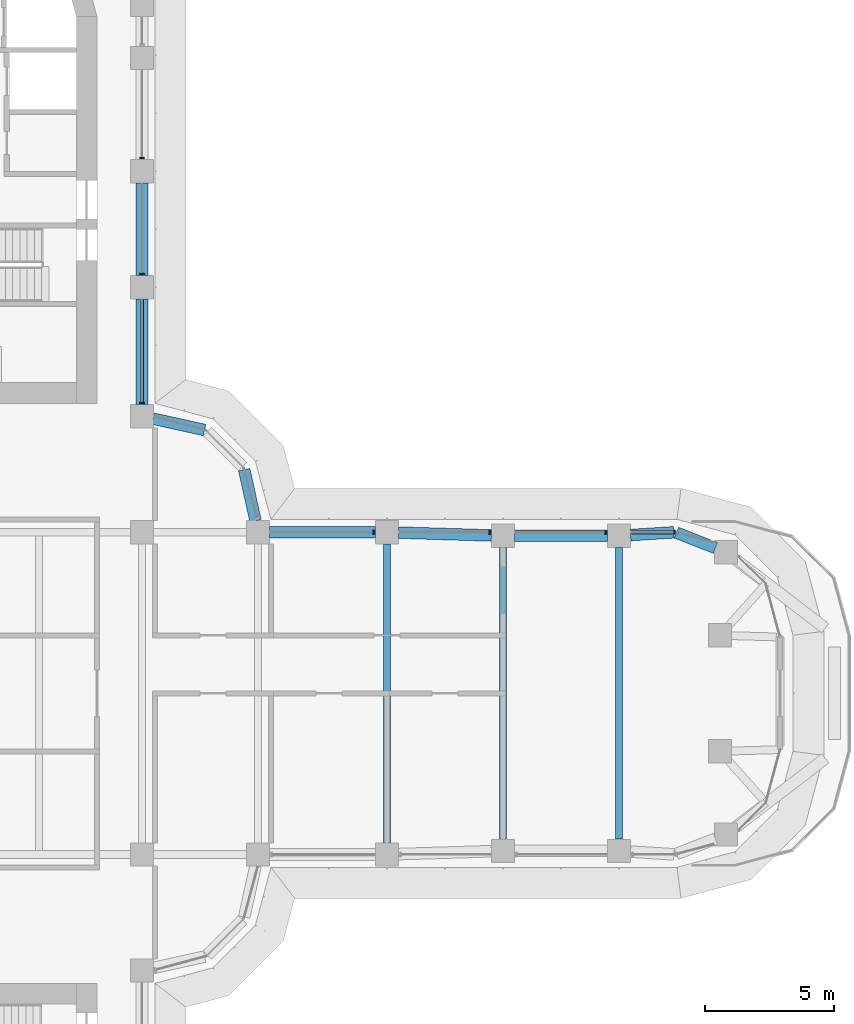
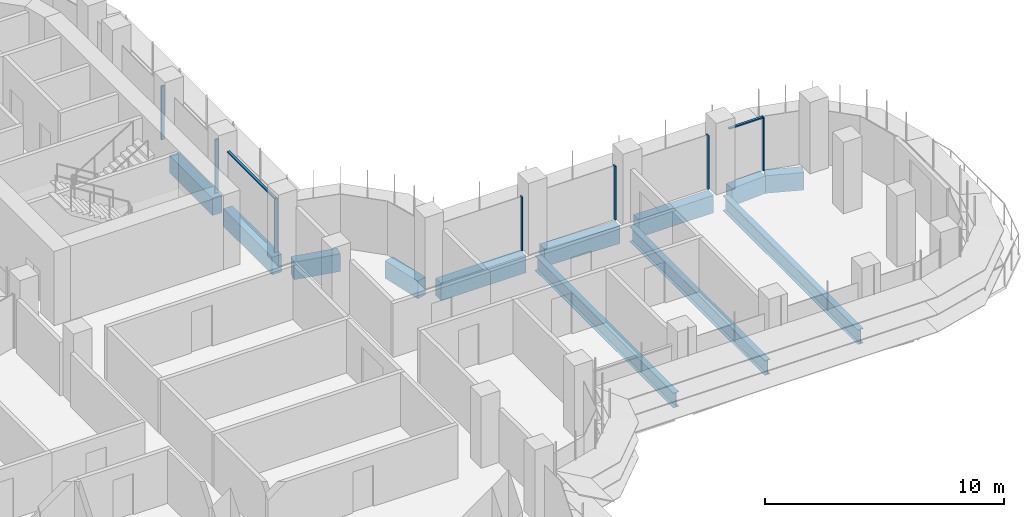
# One storey, part 8 of 22: 12 beams, 9 members, 2 elements without a shape of their own.
"""IFC4 building model written with IfcOpenShell, lengths in metres."""

from ifc_helpers import new_model, si_unit, direction, frame, origin, origin_2d, place, context, subcontext, project, spatial, polyline, rectangle, i_section, outline, extrude, source, transform, mapped, material, material_profile, profile_set, type_object, element, aggregate, save


model = new_model("IFC4")

# Units and contexts
model_context = context("Model", 3, precision=1e-05, world=origin(), true_north=direction((0.0, 1.0)))
body_context = subcontext(model_context, "Body", "Model", "MODEL_VIEW")
ifc_project = project(units=[si_unit("LENGTHUNIT", "METRE"), si_unit("AREAUNIT", "SQUARE_METRE"), si_unit("VOLUMEUNIT", "CUBIC_METRE"), si_unit("PLANEANGLEUNIT", "RADIAN"), si_unit("MASSUNIT", "GRAM", prefix="KILO")], contexts=[model_context])

# Site, building, storey
site_placement = place(None, origin())
site = spatial("IfcSite", under=ifc_project, at=site_placement, CompositionType="ELEMENT")
building_placement = place(site_placement, origin())
building = spatial("IfcBuilding", under=site, at=building_placement, Name="Zarbagh Exchange Tower", CompositionType="ELEMENT")
storey_placement = place(building_placement, frame((0.0, 0.0, 124.60009765625)))
storey = spatial("IfcBuildingStorey", under=building, at=storey_placement, Name="L29", CompositionType="ELEMENT", Elevation=124.60009765625)

# Beams
ifc_material_1 = material(Name="Steel ASTM A992 Gr 50", Category="steel")
ifc_material_profile_1 = material_profile(ifc_material_1, i_section(OverallWidth=0.2666015625, OverallDepth=0.7568359375, WebThickness=0.013916015625, FlangeThickness=0.019287109375, at=origin_2d()), Name="W30X108")
ifc_profile_set_1 = profile_set([ifc_material_profile_1], Name="Steel ASTM A992 Gr 50")
beam_type_1 = type_object("IfcBeamType", Name="Floor beam W30X108", PredefinedType="BEAM", material=ifc_profile_set_1)
beam_1_placement = place(storey_placement, frame((15.75, -5.800048828125, -0.528564453125), z_axis=(0.0, 1.0, 0.0), x_axis=(-1.0, 0.0, 0.0)))
element("IfcBeam", 1, at=beam_1_placement, inside=storey, type_object=beam_type_1, Name="Steel floor beam", PredefinedType="BEAM", context=body_context, shape_type="SweptSolid", body=[
    extrude(i_section(OverallWidth=0.2666015625, OverallDepth=0.7568359375, WebThickness=0.013916015625, FlangeThickness=0.019287109375, at=origin_2d()), origin(), (0.0, 0.0, 1.0), 11.60009765625),
])
for number, where, z_axis, x_axis, name in (
    (2, (20.25, -5.659912109375, -0.528564453125), (0.0, 1.0, 0.0), (-1.0, 0.0, 0.0), "Steel floor beam"),
    (3, (24.75, -5.659912109375, -0.528564453125), (0.0, 1.0, 0.0), (-1.0, 0.0, 0.0), "Steel floor beam"),
):
    element("IfcBeam", number, at=place(storey_placement, frame(where, z_axis=z_axis, x_axis=x_axis)), inside=storey, type_object=beam_type_1, Name=name, PredefinedType="BEAM", context=body_context, shape_type="SweptSolid", body=[
        extrude(i_section(OverallWidth=0.2666015625, OverallDepth=0.7568359375, WebThickness=0.013916015625, FlangeThickness=0.019287109375, at=origin_2d()), origin(), (0.0, 0.0, 1.0), 11.31982421875),
    ])
ifc_material_2 = material(Name="Concrete C60/75", Category="concrete")
ifc_material_profile_2 = material_profile(ifc_material_2, rectangle(XDim=0.449951171875, YDim=0.89990234375, at=origin_2d()), Name="RC spandrel beam 450 x 900 C60/75")
ifc_profile_set_2 = profile_set([ifc_material_profile_2], Name="Concrete C60/75")
beam_type_2 = type_object("IfcBeamType", Name="RC spandrel beam 450 x 900 C60/75", PredefinedType="SPANDREL", material=ifc_profile_set_2)
beam_2_placement = place(storey_placement, frame((6.25, 19.800048828125, -0.60009765625), z_axis=(0.0, -1.0, 0.0), x_axis=(1.0, 0.0, 0.0)))
element("IfcBeam", 4, at=beam_2_placement, inside=storey, type_object=beam_type_2, Name="RC spandrel beam", PredefinedType="SPANDREL", context=body_context, shape_type="SweptSolid", body=[
    extrude(rectangle(XDim=0.449951171875, YDim=0.89990234375, at=origin_2d()), origin(), (0.0, 0.0, 1.0), 3.60009765625),
])
beam_3_placement = place(storey_placement, frame((6.25, 15.300048828125, -0.60009765625), z_axis=(0.0, -1.0, 0.0), x_axis=(1.0, 0.0, 0.0)))
element("IfcBeam", 5, at=beam_3_placement, inside=storey, type_object=beam_type_2, Name="RC spandrel beam", PredefinedType="SPANDREL", context=body_context, shape_type="SweptSolid", body=[
    extrude(rectangle(XDim=0.449951171875, YDim=0.89990234375, at=origin_2d()), origin(), (0.0, 0.0, 1.0), 4.10009765625),
])
for number, where, z_axis, x_axis, name in (
    (6, (6.689453125, 10.65283203125, -0.60009765625), (0.976367325525, -0.216117666208, 0.0), (0.216117666208, 0.976367325525, 0.0), "RC spandrel beam"),
    (7, (10.212890625, 8.677001953125, -0.60009765625), (0.216117666208, -0.976367325525, 0.0), (0.976367325525, 0.216117666208, 0.0), "RC spandrel beam"),
):
    element("IfcBeam", number, at=place(storey_placement, frame(where, z_axis=z_axis, x_axis=x_axis)), inside=storey, type_object=beam_type_2, Name=name, PredefinedType="SPANDREL", context=body_context, shape_type="SweptSolid", body=[
        extrude(rectangle(XDim=0.449951171875, YDim=0.89990234375, at=origin_2d()), origin(), (0.0, 0.0, 1.0), 2.03564453125),
    ])
beam_4_placement = place(storey_placement, frame((11.199951171875, 6.25, -0.60009765625), z_axis=(1.0, 0.0, 0.0), x_axis=(0.0, 1.0, 0.0)))
element("IfcBeam", 8, at=beam_4_placement, inside=storey, type_object=beam_type_2, Name="RC spandrel beam", PredefinedType="SPANDREL", context=body_context, shape_type="SweptSolid", body=[
    extrude(rectangle(XDim=0.449951171875, YDim=0.89990234375, at=origin_2d()), origin(), (0.0, 0.0, 1.0), 4.10009765625),
])
beam_5_placement = place(storey_placement, frame((16.19970703125, 6.236083984375, -0.60009765625), z_axis=(0.999516035224, -0.031107801747, 0.0), x_axis=(0.031107801747, 0.999516035224, 0.0)))
element("IfcBeam", 9, at=beam_5_placement, inside=storey, type_object=beam_type_2, Name="RC spandrel beam", PredefinedType="SPANDREL", context=body_context, shape_type="SweptSolid", body=[
    extrude(rectangle(XDim=0.449951171875, YDim=0.89990234375, at=origin_2d()), origin(), (0.0, 0.0, 1.0), 3.602294921875),
])
beam_6_placement = place(storey_placement, frame((20.699951171875, 6.110107421875, -0.60009765625), z_axis=(1.0, 0.0, 0.0), x_axis=(0.0, 1.0, 0.0)))
element("IfcBeam", 10, at=beam_6_placement, inside=storey, type_object=beam_type_2, Name="RC spandrel beam", PredefinedType="SPANDREL", context=body_context, shape_type="SweptSolid", body=[
    extrude(rectangle(XDim=0.449951171875, YDim=0.89990234375, at=origin_2d()), origin(), (0.0, 0.0, 1.0), 3.60009765625),
])
beam_7_placement = place(storey_placement, frame((25.19921875, 6.138916015625, -0.60009765625), z_axis=(0.997955762545, 0.063908497109, 0.0), x_axis=(-0.063908497109, 0.997955762545, 0.0)))
element("IfcBeam", 11, at=beam_7_placement, inside=storey, type_object=beam_type_2, Name="RC spandrel beam", PredefinedType="SPANDREL", context=body_context, shape_type="SweptSolid", body=[
    extrude(rectangle(XDim=0.449951171875, YDim=0.89990234375, at=origin_2d()), origin(), (0.0, 0.0, 1.0), 1.6884765625),
])
beam_8_placement = place(storey_placement, frame((26.980712890625, 6.231689453125, -0.60009765625), z_axis=(0.930806421439, -0.365512524832, 0.0), x_axis=(0.365512524832, 0.930806421439, 0.0)))
element("IfcBeam", 12, at=beam_8_placement, inside=storey, type_object=beam_type_2, Name="RC spandrel beam", PredefinedType="SPANDREL", context=body_context, shape_type="SweptSolid", body=[
    extrude(rectangle(XDim=0.449951171875, YDim=0.89990234375, at=origin_2d()), origin(), (0.0, 0.0, 1.0), 1.620361328125),
])

# Curtain wall, members
ifc_material_3 = material(Name="Anodised aluminium frame and glazing", Category="aluminium")
curtain_wall_type = type_object("IfcCurtainWallType", Name="CWA Ribbon glazing, lower zones", PredefinedType="NOTDEFINED", material=ifc_material_3)
curtain_wall_1_placement = place(storey_placement, origin())
curtain_wall_1 = element("IfcCurtainWall", 13, at=curtain_wall_1_placement, inside=storey, type_object=curtain_wall_type, Name="CWA65 curtain wall", PredefinedType="NOTDEFINED")
ifc_material_4 = material(Name="Anodised aluminium frame", Category="aluminium")
member_type_1 = type_object("IfcMemberType", Name="MUA Mullion, anodised aluminium frame", PredefinedType="MULLION", material=ifc_material_4)
shared_shape_1 = source(origin(), body_context, "Body", "SweptSolid", [
    extrude(outline(polyline([(0.0, -0.080078125), (0.06005859375, -0.080078125), (0.06005859375, 0.080078125), (0.0, 0.080078125), (0.0, -0.080078125)])), origin(), (0.0, 0.0, 1.0), 2.75),
])
placement = place(storey_placement, origin())
member_1 = element("IfcMember", 14, at=placement, type_object=member_type_1, Name="CWA65 mullion 1.1", PredefinedType="MULLION", context=body_context, shape_type="MappedRepresentation", body=[
    mapped(shared_shape_1, transform((26.93408203125, 6.25, 0.0), x_axis=(-1.0, 0.0, 0.0), y_axis=(0.0, -1.0, 0.0), z_axis=(0.0, 0.0, 1.0))),
])
member_2 = element("IfcMember", 15, at=placement, type_object=member_type_1, Name="CWA65 mullion 2.1", PredefinedType="MULLION", context=body_context, shape_type="MappedRepresentation", body=[
    mapped(shared_shape_1, transform((24.260009765625, 6.25, 0.0), x_axis=(-1.0, 0.0, 0.0), y_axis=(0.0, -1.0, 0.0), z_axis=(0.0, 0.0, 1.0))),
])
member_3 = element("IfcMember", 16, at=placement, type_object=member_type_1, Name="CWA65 mullion 3.1", PredefinedType="MULLION", context=body_context, shape_type="MappedRepresentation", body=[
    mapped(shared_shape_1, transform((19.760009765625, 6.25, 0.0), x_axis=(-1.0, 0.0, 0.0), y_axis=(0.0, -1.0, 0.0), z_axis=(0.0, 0.0, 1.0))),
])
member_4 = element("IfcMember", 17, at=placement, type_object=member_type_1, Name="CWA65 mullion 4.1", PredefinedType="MULLION", context=body_context, shape_type="MappedRepresentation", body=[
    mapped(shared_shape_1, transform((15.260009765625, 6.25, 0.0), x_axis=(-1.0, 0.0, 0.0), y_axis=(0.0, -1.0, 0.0), z_axis=(0.0, 0.0, 1.0))),
])

curtain_wall_2_placement = place(storey_placement, origin())
curtain_wall_2 = element("IfcCurtainWall", 18, at=curtain_wall_2_placement, inside=storey, type_object=curtain_wall_type, Name="CWA49 curtain wall", PredefinedType="NOTDEFINED")
member_5 = element("IfcMember", 19, at=placement, type_object=member_type_1, Name="CWA49 mullion 1.1", PredefinedType="MULLION", context=body_context, shape_type="MappedRepresentation", body=[
    mapped(shared_shape_1, transform((6.25, 11.239990234375, 0.0), x_axis=(0.0, 1.0, 0.0), y_axis=(-1.0, 0.0, 0.0), z_axis=(0.0, 0.0, 1.0))),
])
member_6 = element("IfcMember", 20, at=placement, type_object=member_type_1, Name="CWA49 mullion 2.1", PredefinedType="MULLION", context=body_context, shape_type="MappedRepresentation", body=[
    mapped(shared_shape_1, transform((6.25, 16.239990234375, 0.0), x_axis=(0.0, 1.0, 0.0), y_axis=(-1.0, 0.0, 0.0), z_axis=(0.0, 0.0, 1.0))),
])
member_7 = element("IfcMember", 21, at=placement, type_object=member_type_1, Name="CWA49 mullion 3.1", PredefinedType="MULLION", context=body_context, shape_type="MappedRepresentation", body=[
    mapped(shared_shape_1, transform((6.25, 20.739990234375, 0.0), x_axis=(0.0, 1.0, 0.0), y_axis=(-1.0, 0.0, 0.0), z_axis=(0.0, 0.0, 1.0))),
])
member_type_2 = type_object("IfcMemberType", Name="TRA Transom, anodised aluminium frame", PredefinedType="USERDEFINED", material=ifc_material_4)
shared_shape_2 = source(origin(), body_context, "Body", "SweptSolid", [
    extrude(outline(polyline([(-0.06005859375, -0.06005859375), (0.0, -0.06005859375), (0.0, 0.06005859375), (-0.06005859375, 0.06005859375), (-0.06005859375, -0.06005859375)])), origin(), (0.0, 0.0, 1.0), 3.9599609375),
])
member_8 = element("IfcMember", 22, at=placement, type_object=member_type_2, Name="CWA49 transom 1.1", ObjectType="TRANSOM", PredefinedType="USERDEFINED", context=body_context, shape_type="MappedRepresentation", body=[
    mapped(shared_shape_2, transform((6.25, 11.300048828125, 2.75), x_axis=(0.0, 0.0, 1.0), y_axis=(1.0, 0.0, 0.0), z_axis=(0.0, 1.0, 0.0))),
])
aggregate(curtain_wall_2, [member_5, member_8, member_6, member_7])

# Member
shared_shape_3 = source(origin(), body_context, "Body", "SweptSolid", [
    extrude(outline(polyline([(-0.06005859375, -0.06005859375), (0.0, -0.06005859375), (0.0, 0.06005859375), (-0.06005859375, 0.06005859375), (-0.06005859375, -0.06005859375)])), origin(), (0.0, 0.0, 1.0), 1.63427734375),
])
member_9 = element("IfcMember", 23, at=placement, type_object=member_type_2, Name="CWA65 transom 1.1", ObjectType="TRANSOM", PredefinedType="USERDEFINED", context=body_context, shape_type="MappedRepresentation", body=[
    mapped(shared_shape_3, transform((26.874267578125, 6.25, 2.75), x_axis=(0.0, 0.0, 1.0), y_axis=(0.0, 1.0, 0.0), z_axis=(-1.0, 0.0, 0.0))),
])

aggregate(curtain_wall_1, [member_1, member_9, member_2, member_3, member_4])

save(model, "model.ifc")
